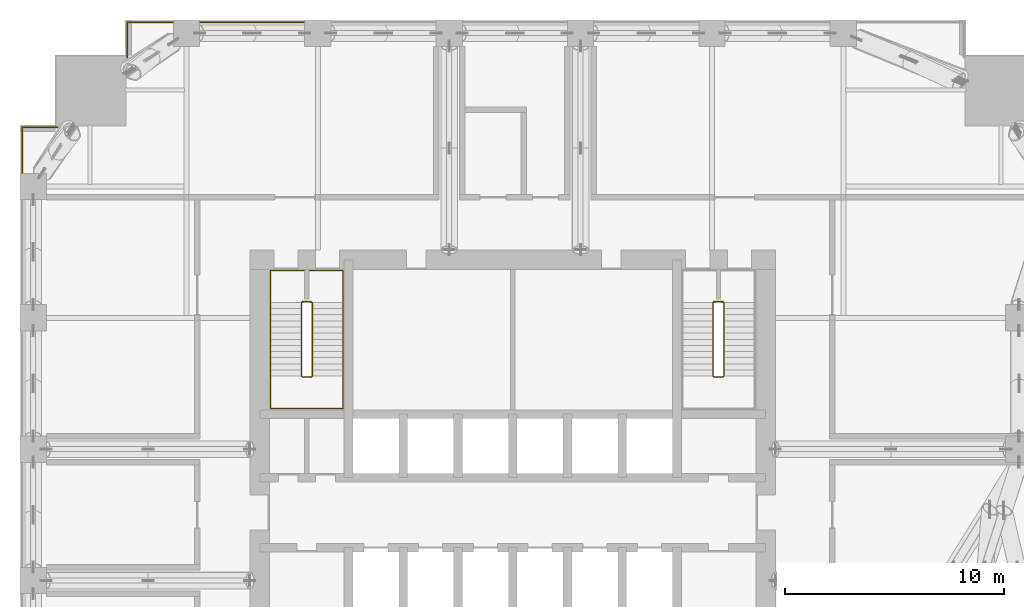
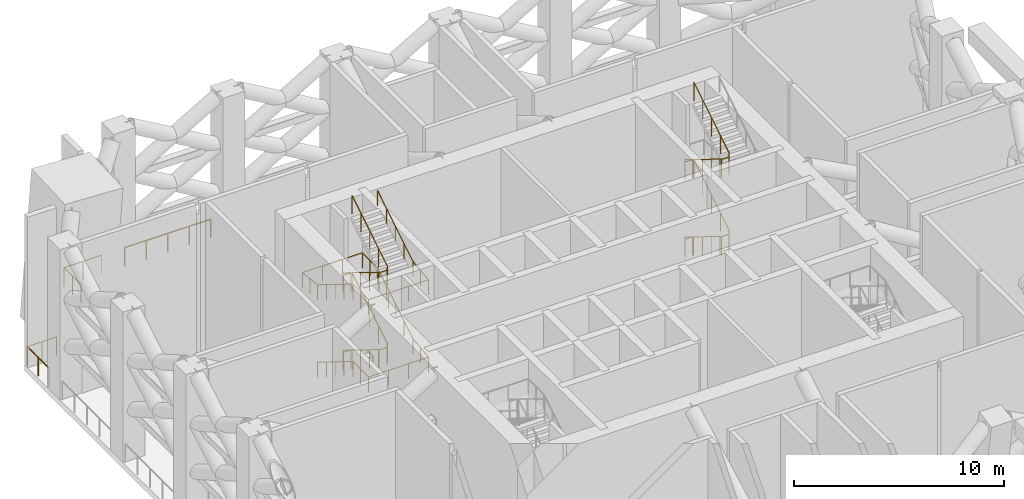
# One storey, part 17 of 18: 8 railings.
"""IFC4 building model written with IfcOpenShell, lengths in metres."""

from ifc_helpers import new_model, si_unit, direction, frame, origin, origin_2d, place, context, subcontext, project, spatial, circle, extrude, material, type_object, element, save


model = new_model("IFC4")

# Units and contexts
model_context = context("Model", 3, precision=1e-05, world=origin(), true_north=direction((0.0, 1.0)))
body_context = subcontext(model_context, "Body", "Model", "MODEL_VIEW")
ifc_project = project(units=[si_unit("LENGTHUNIT", "METRE"), si_unit("AREAUNIT", "SQUARE_METRE"), si_unit("VOLUMEUNIT", "CUBIC_METRE"), si_unit("PLANEANGLEUNIT", "RADIAN"), si_unit("MASSUNIT", "GRAM", prefix="KILO")], contexts=[model_context])

# Site, building, storey
site_placement = place(None, origin())
site = spatial("IfcSite", under=ifc_project, at=site_placement, CompositionType="ELEMENT")
building_placement = place(site_placement, origin())
building = spatial("IfcBuilding", under=site, at=building_placement, Name="Amberfall Residences", CompositionType="ELEMENT")
storey_placement = place(building_placement, frame((0.0, 0.0, 69.699951171875)))
storey = spatial("IfcBuildingStorey", under=building, at=storey_placement, Name="L19", CompositionType="ELEMENT", Elevation=69.699951171875)

# Railings
ifc_material_1 = material(Name="Bronze anodised aluminium and laminated glass", Category="aluminium")
railing_type_1 = type_object("IfcRailingType", Name="Refuge edge guard 1100", PredefinedType="GUARDRAIL", material=ifc_material_1)
railing_1_placement = place(storey_placement, frame((52.10009765625, 61.030029296875, 0.0)))
element("IfcRailing", 1, at=railing_1_placement, inside=storey, type_object=railing_type_1, Name="Refuge edge guard L19 16", PredefinedType="GUARDRAIL", context=body_context, shape_type="SweptSolid", body=[
    extrude(circle(Radius=0.02392578125, at=origin_2d()), frame((0.0, 0.0, 1.076171875), z_axis=(0.0, 1.0, 0.0), x_axis=(-1.0, 0.0, 0.0)), (0.0, 0.0, 1.0), 2.070068359375),
    extrude(circle(Radius=0.02099609375, at=origin_2d()), origin(), (0.0, 0.0, 1.0), 1.052001953125),
    extrude(circle(Radius=0.02099609375, at=origin_2d()), frame((0.0, 1.03515625, 0.0)), (0.0, 0.0, 1.0), 1.052001953125),
    extrude(circle(Radius=0.02099609375, at=origin_2d()), frame((0.0, 2.070068359375, 0.0)), (0.0, 0.0, 1.0), 1.052001953125),
])
railing_2_placement = place(storey_placement, frame((52.10009765625, 63.10009765625, 0.0)))
element("IfcRailing", 2, at=railing_2_placement, inside=storey, type_object=railing_type_1, Name="Refuge edge guard L19 17", PredefinedType="GUARDRAIL", context=body_context, shape_type="SweptSolid", body=[
    extrude(circle(Radius=0.02392578125, at=origin_2d()), frame((0.0, 0.0, 1.076171875), z_axis=(1.0, 0.0, 0.0), x_axis=(0.0, 1.0, 0.0)), (0.0, 0.0, 1.0), 1.608154296875),
    extrude(circle(Radius=0.02099609375, at=origin_2d()), origin(), (0.0, 0.0, 1.0), 1.052001953125),
    extrude(circle(Radius=0.02099609375, at=origin_2d()), frame((0.80419921875, 0.0, 0.0)), (0.0, 0.0, 1.0), 1.052001953125),
    extrude(circle(Radius=0.02099609375, at=origin_2d()), frame((1.608154296875, 0.0, 0.0)), (0.0, 0.0, 1.0), 1.052001953125),
])
railing_3_placement = place(storey_placement, frame((56.89990234375, 66.291748046875, 0.0)))
element("IfcRailing", 3, at=railing_3_placement, inside=storey, type_object=railing_type_1, Name="Refuge edge guard L19 18", PredefinedType="GUARDRAIL", context=body_context, shape_type="SweptSolid", body=[
    extrude(circle(Radius=0.02392578125, at=origin_2d()), frame((0.0, 0.0, 1.076171875), z_axis=(0.0, 1.0, 0.0), x_axis=(-1.0, 0.0, 0.0)), (0.0, 0.0, 1.0), 1.608154296875),
    extrude(circle(Radius=0.02099609375, at=origin_2d()), origin(), (0.0, 0.0, 1.0), 1.052001953125),
    extrude(circle(Radius=0.02099609375, at=origin_2d()), frame((0.0, 0.80419921875, 0.0)), (0.0, 0.0, 1.0), 1.052001953125),
    extrude(circle(Radius=0.02099609375, at=origin_2d()), frame((0.0, 1.608154296875, 0.0)), (0.0, 0.0, 1.0), 1.052001953125),
])
railing_4_placement = place(storey_placement, frame((56.89990234375, 67.89990234375, 0.0)))
element("IfcRailing", 4, at=railing_4_placement, inside=storey, type_object=railing_type_1, Name="Refuge edge guard L19 19", PredefinedType="GUARDRAIL", context=body_context, shape_type="SweptSolid", body=[
    extrude(circle(Radius=0.02392578125, at=origin_2d()), frame((0.0, 0.0, 1.076171875), z_axis=(1.0, 0.0, 0.0), x_axis=(0.0, 1.0, 0.0)), (0.0, 0.0, 1.0), 2.070068359375),
    extrude(circle(Radius=0.02099609375, at=origin_2d()), origin(), (0.0, 0.0, 1.0), 1.052001953125),
    extrude(circle(Radius=0.02099609375, at=origin_2d()), frame((1.03515625, 0.0, 0.0)), (0.0, 0.0, 1.0), 1.052001953125),
    extrude(circle(Radius=0.02099609375, at=origin_2d()), frame((2.070068359375, 0.0, 0.0)), (0.0, 0.0, 1.0), 1.052001953125),
])
railing_5_placement = place(storey_placement, frame((60.22998046875, 67.89990234375, 0.0)))
element("IfcRailing", 5, at=railing_5_placement, inside=storey, type_object=railing_type_1, Name="Refuge edge guard L19 20", PredefinedType="GUARDRAIL", context=body_context, shape_type="SweptSolid", body=[
    extrude(circle(Radius=0.02392578125, at=origin_2d()), frame((0.0, 0.0, 1.076171875), z_axis=(1.0, 0.0, 0.0), x_axis=(0.0, 1.0, 0.0)), (0.0, 0.0, 1.0), 4.739990234375),
    extrude(circle(Radius=0.02099609375, at=origin_2d()), origin(), (0.0, 0.0, 1.0), 1.052001953125),
    extrude(circle(Radius=0.02099609375, at=origin_2d()), frame((1.18505859375, 0.0, 0.0)), (0.0, 0.0, 1.0), 1.052001953125),
    extrude(circle(Radius=0.02099609375, at=origin_2d()), frame((2.3701171875, 0.0, 0.0)), (0.0, 0.0, 1.0), 1.052001953125),
    extrude(circle(Radius=0.02099609375, at=origin_2d()), frame((3.554931640625, 0.0, 0.0)), (0.0, 0.0, 1.0), 1.052001953125),
    extrude(circle(Radius=0.02099609375, at=origin_2d()), frame((4.739990234375, 0.0, 0.0)), (0.0, 0.0, 1.0), 1.052001953125),
])
ifc_material_2 = material(Name="Stainless steel 316", Category="steel")
railing_type_2 = type_object("IfcRailingType", Name="Stair guard 1100", PredefinedType="GUARDRAIL", material=ifc_material_2)
railing_6_placement = place(storey_placement, frame((84.10009765625, 55.14990234375, 0.0)))
element("IfcRailing", 6, at=railing_6_placement, inside=storey, type_object=railing_type_2, Name="L19 stair 3 guard", PredefinedType="GUARDRAIL", context=body_context, shape_type="SweptSolid", body=[
    extrude(circle(Radius=0.02392578125, at=origin_2d()), frame((0.0, 0.0, 1.076171875), z_axis=(-1.0, 0.0, 0.0), x_axis=(0.0, -1.0, 0.0)), (0.0, 0.0, 1.0), 0.400146484375),
    extrude(circle(Radius=0.02392578125, at=origin_2d()), frame((-0.400146484375, 0.0, 1.076171875), z_axis=(-0.267723051232, -0.266417085129, 0.925929967433), x_axis=(0.705375805398, -0.708833529934, 0.0)), (0.0, 0.0, 1.0), 0.18701171875),
    extrude(circle(Radius=0.02392578125, at=origin_2d()), frame((-0.4501953125, -0.0498046875, 1.2490234375), z_axis=(0.0, -0.850623216509, 0.525775754039), x_axis=(1.0, 0.0, 0.0)), (0.0, 0.0, 1.0), 3.9501953125),
    extrude(circle(Radius=0.02392578125, at=origin_2d()), frame((-0.4501953125, -3.409912109375, 3.326171875), z_axis=(0.707106781187, -0.707106781187, 0.0), x_axis=(0.707106781187, 0.707106781187, 0.0)), (0.0, 0.0, 1.0), 0.07080078125),
    extrude(circle(Radius=0.02392578125, at=origin_2d()), frame((-0.400146484375, -3.4599609375, 3.326171875), z_axis=(1.0, 0.0, 0.0), x_axis=(0.0, 1.0, 0.0)), (0.0, 0.0, 1.0), 0.400146484375),
    extrude(circle(Radius=0.02392578125, at=origin_2d()), frame((0.0, -3.4599609375, 3.326171875), z_axis=(0.266417085129, 0.267723051232, 0.925929967433), x_axis=(-0.708833529934, 0.705375805398, 0.0)), (0.0, 0.0, 1.0), 0.18701171875),
    extrude(circle(Radius=0.02392578125, at=origin_2d()), frame((0.0498046875, -3.409912109375, 3.4990234375), z_axis=(0.0, 0.850623216509, 0.525775754039), x_axis=(-1.0, 0.0, 0.0)), (0.0, 0.0, 1.0), 3.9501953125),
    extrude(circle(Radius=0.02392578125, at=origin_2d()), frame((0.0498046875, -0.0498046875, 5.576171875), z_axis=(-0.993929686101, 0.110017176324, 0.0), x_axis=(-0.110017176324, -0.993929686101, 0.0)), (0.0, 0.0, 1.0), 0.45263671875),
    extrude(circle(Radius=0.02392578125, at=origin_2d()), frame((-0.400146484375, 0.0, 5.576171875), z_axis=(1.0, 0.0, 0.0), x_axis=(0.0, 1.0, 0.0)), (0.0, 0.0, 1.0), 0.400146484375),
    extrude(circle(Radius=0.02392578125, at=origin_2d()), frame((0.0, 0.0, 5.576171875), z_axis=(-0.928448063868, -0.102713343291, 0.356979217615), x_axis=(0.109958235639, -0.993936208423, 0.0)), (0.0, 0.0, 1.0), 0.48486328125),
    extrude(circle(Radius=0.02392578125, at=origin_2d()), frame((-0.4501953125, -0.0498046875, 5.7490234375), z_axis=(0.0, -0.850623216509, 0.525775754039), x_axis=(1.0, 0.0, 0.0)), (0.0, 0.0, 1.0), 3.9501953125),
    extrude(circle(Radius=0.02392578125, at=origin_2d()), frame((-0.4501953125, -3.409912109375, 7.826171875), z_axis=(0.707106781187, -0.707106781187, 0.0), x_axis=(0.707106781187, 0.707106781187, 0.0)), (0.0, 0.0, 1.0), 0.07080078125),
    extrude(circle(Radius=0.02392578125, at=origin_2d()), frame((-0.400146484375, -3.4599609375, 7.826171875), z_axis=(1.0, 0.0, 0.0), x_axis=(0.0, 1.0, 0.0)), (0.0, 0.0, 1.0), 0.400146484375),
    extrude(circle(Radius=0.02392578125, at=origin_2d()), frame((0.0, -3.4599609375, 7.826171875), z_axis=(0.266417085129, 0.267723051232, 0.925929967433), x_axis=(-0.708833529934, 0.705375805398, 0.0)), (0.0, 0.0, 1.0), 0.18701171875),
    extrude(circle(Radius=0.02392578125, at=origin_2d()), frame((0.0498046875, -3.409912109375, 7.9990234375), z_axis=(0.0, 0.850623216509, 0.525775754039), x_axis=(-1.0, 0.0, 0.0)), (0.0, 0.0, 1.0), 3.9501953125),
    extrude(circle(Radius=0.02099609375, at=origin_2d()), origin(), (0.0, 0.0, 1.0), 1.052001953125),
    extrude(circle(Radius=0.02099609375, at=origin_2d()), frame((-0.400146484375, 0.0, 0.0)), (0.0, 0.0, 1.0), 1.052001953125),
    extrude(circle(Radius=0.02099609375, at=origin_2d()), frame((-0.4501953125, -0.0498046875, 0.173095703125)), (0.0, 0.0, 1.0), 1.052001953125),
    extrude(circle(Radius=0.02099609375, at=origin_2d()), frame((-0.4501953125, -0.889892578125, 0.6923828125)), (0.0, 0.0, 1.0), 1.052001953125),
    extrude(circle(Radius=0.02099609375, at=origin_2d()), frame((-0.4501953125, -1.72998046875, 1.21142578125)), (0.0, 0.0, 1.0), 1.052001953125),
    extrude(circle(Radius=0.02099609375, at=origin_2d()), frame((-0.4501953125, -2.56982421875, 1.730712890625)), (0.0, 0.0, 1.0), 1.052001953125),
    extrude(circle(Radius=0.02099609375, at=origin_2d()), frame((-0.4501953125, -3.409912109375, 2.25)), (0.0, 0.0, 1.0), 1.052001953125),
    extrude(circle(Radius=0.02099609375, at=origin_2d()), frame((-0.400146484375, -3.4599609375, 2.25)), (0.0, 0.0, 1.0), 1.052001953125),
    extrude(circle(Radius=0.02099609375, at=origin_2d()), frame((0.0, -3.4599609375, 2.25)), (0.0, 0.0, 1.0), 1.052001953125),
    extrude(circle(Radius=0.02099609375, at=origin_2d()), frame((0.0498046875, -3.409912109375, 2.423095703125)), (0.0, 0.0, 1.0), 1.052001953125),
    extrude(circle(Radius=0.02099609375, at=origin_2d()), frame((0.0498046875, -2.56982421875, 2.9423828125)), (0.0, 0.0, 1.0), 1.052001953125),
    extrude(circle(Radius=0.02099609375, at=origin_2d()), frame((0.0498046875, -1.72998046875, 3.46142578125)), (0.0, 0.0, 1.0), 1.052001953125),
    extrude(circle(Radius=0.02099609375, at=origin_2d()), frame((0.0498046875, -0.889892578125, 3.980712890625)), (0.0, 0.0, 1.0), 1.052001953125),
    extrude(circle(Radius=0.02099609375, at=origin_2d()), frame((0.0498046875, -0.0498046875, 4.5)), (0.0, 0.0, 1.0), 1.052001953125),
    extrude(circle(Radius=0.02099609375, at=origin_2d()), frame((-0.400146484375, 0.0, 4.5)), (0.0, 0.0, 1.0), 1.052001953125),
    extrude(circle(Radius=0.02099609375, at=origin_2d()), frame((0.0, 0.0, 4.5)), (0.0, 0.0, 1.0), 1.052001953125),
    extrude(circle(Radius=0.02099609375, at=origin_2d()), frame((-0.4501953125, -0.0498046875, 4.673095703125)), (0.0, 0.0, 1.0), 1.052001953125),
    extrude(circle(Radius=0.02099609375, at=origin_2d()), frame((-0.4501953125, -0.889892578125, 5.1923828125)), (0.0, 0.0, 1.0), 1.052001953125),
    extrude(circle(Radius=0.02099609375, at=origin_2d()), frame((-0.4501953125, -1.72998046875, 5.71142578125)), (0.0, 0.0, 1.0), 1.052001953125),
    extrude(circle(Radius=0.02099609375, at=origin_2d()), frame((-0.4501953125, -2.56982421875, 6.230712890625)), (0.0, 0.0, 1.0), 1.052001953125),
    extrude(circle(Radius=0.02099609375, at=origin_2d()), frame((-0.4501953125, -3.409912109375, 6.75)), (0.0, 0.0, 1.0), 1.052001953125),
    extrude(circle(Radius=0.02099609375, at=origin_2d()), frame((-0.400146484375, -3.4599609375, 6.75)), (0.0, 0.0, 1.0), 1.052001953125),
    extrude(circle(Radius=0.02099609375, at=origin_2d()), frame((0.0, -3.4599609375, 6.75)), (0.0, 0.0, 1.0), 1.052001953125),
    extrude(circle(Radius=0.02099609375, at=origin_2d()), frame((0.0498046875, -3.409912109375, 6.923095703125)), (0.0, 0.0, 1.0), 1.052001953125),
    extrude(circle(Radius=0.02099609375, at=origin_2d()), frame((0.0498046875, -2.56982421875, 7.4423828125)), (0.0, 0.0, 1.0), 1.052001953125),
    extrude(circle(Radius=0.02099609375, at=origin_2d()), frame((0.0498046875, -1.72998046875, 7.96142578125)), (0.0, 0.0, 1.0), 1.052001953125),
    extrude(circle(Radius=0.02099609375, at=origin_2d()), frame((0.0498046875, -0.889892578125, 8.480712890625)), (0.0, 0.0, 1.0), 1.052001953125),
    extrude(circle(Radius=0.02099609375, at=origin_2d()), frame((0.0498046875, -0.0498046875, 9.0)), (0.0, 0.0, 1.0), 1.052001953125),
])
railing_7_placement = place(storey_placement, frame((65.300048828125, 55.14990234375, 0.0)))
element("IfcRailing", 7, at=railing_7_placement, inside=storey, type_object=railing_type_2, Name="L19 stair 4 guard", PredefinedType="GUARDRAIL", context=body_context, shape_type="SweptSolid", body=[
    extrude(circle(Radius=0.02392578125, at=origin_2d()), frame((0.0, 0.0, 1.076171875), z_axis=(-1.0, 0.0, 0.0), x_axis=(0.0, -1.0, 0.0)), (0.0, 0.0, 1.0), 0.400146484375),
    extrude(circle(Radius=0.02392578125, at=origin_2d()), frame((-0.400146484375, 0.0, 1.076171875), z_axis=(-0.26651005591, -0.26651005591, 0.926253086471), x_axis=(0.707106781187, -0.707106781187, 0.0)), (0.0, 0.0, 1.0), 0.186767578125),
    extrude(circle(Radius=0.02392578125, at=origin_2d()), frame((-0.449951171875, -0.0498046875, 1.2490234375), z_axis=(0.0, -0.850623216509, 0.525775754039), x_axis=(1.0, 0.0, 0.0)), (0.0, 0.0, 1.0), 3.9501953125),
    extrude(circle(Radius=0.02392578125, at=origin_2d()), frame((-0.449951171875, -3.409912109375, 3.326171875), z_axis=(0.705375805398, -0.708833529934, 0.0), x_axis=(0.708833529934, 0.705375805398, 0.0)), (0.0, 0.0, 1.0), 0.070556640625),
    extrude(circle(Radius=0.02392578125, at=origin_2d()), frame((-0.400146484375, -3.4599609375, 3.326171875), z_axis=(1.0, 0.0, 0.0), x_axis=(0.0, 1.0, 0.0)), (0.0, 0.0, 1.0), 0.400146484375),
    extrude(circle(Radius=0.02392578125, at=origin_2d()), frame((0.0, -3.4599609375, 3.326171875), z_axis=(0.267629722418, 0.267629722418, 0.925607186314), x_axis=(-0.707106781187, 0.707106781187, 0.0)), (0.0, 0.0, 1.0), 0.18701171875),
    extrude(circle(Radius=0.02392578125, at=origin_2d()), frame((0.050048828125, -3.409912109375, 3.4990234375), z_axis=(0.0, 0.850623216509, 0.525775754039), x_axis=(-1.0, 0.0, 0.0)), (0.0, 0.0, 1.0), 3.9501953125),
    extrude(circle(Radius=0.02392578125, at=origin_2d()), frame((0.050048828125, -0.0498046875, 5.576171875), z_axis=(-0.993936208423, 0.109958235639, 0.0), x_axis=(-0.109958235639, -0.993936208423, 0.0)), (0.0, 0.0, 1.0), 0.452880859375),
    extrude(circle(Radius=0.02392578125, at=origin_2d()), frame((-0.400146484375, 0.0, 5.576171875), z_axis=(1.0, 0.0, 0.0), x_axis=(0.0, 1.0, 0.0)), (0.0, 0.0, 1.0), 0.400146484375),
    extrude(circle(Radius=0.02392578125, at=origin_2d()), frame((0.0, 0.0, 5.576171875), z_axis=(-0.928378540526, -0.102761379418, 0.357146166703), x_axis=(0.110017176324, -0.993929686101, 0.0)), (0.0, 0.0, 1.0), 0.484619140625),
    extrude(circle(Radius=0.02392578125, at=origin_2d()), frame((-0.449951171875, -0.0498046875, 5.7490234375), z_axis=(0.0, -0.850623216509, 0.525775754039), x_axis=(1.0, 0.0, 0.0)), (0.0, 0.0, 1.0), 3.9501953125),
    extrude(circle(Radius=0.02392578125, at=origin_2d()), frame((-0.449951171875, -3.409912109375, 7.826171875), z_axis=(0.705375805398, -0.708833529934, 0.0), x_axis=(0.708833529934, 0.705375805398, 0.0)), (0.0, 0.0, 1.0), 0.070556640625),
    extrude(circle(Radius=0.02392578125, at=origin_2d()), frame((-0.400146484375, -3.4599609375, 7.826171875), z_axis=(1.0, 0.0, 0.0), x_axis=(0.0, 1.0, 0.0)), (0.0, 0.0, 1.0), 0.400146484375),
    extrude(circle(Radius=0.02392578125, at=origin_2d()), frame((0.0, -3.4599609375, 7.826171875), z_axis=(0.267629722418, 0.267629722418, 0.925607186314), x_axis=(-0.707106781187, 0.707106781187, 0.0)), (0.0, 0.0, 1.0), 0.18701171875),
    extrude(circle(Radius=0.02392578125, at=origin_2d()), frame((0.050048828125, -3.409912109375, 7.9990234375), z_axis=(0.0, 0.850623216509, 0.525775754039), x_axis=(-1.0, 0.0, 0.0)), (0.0, 0.0, 1.0), 3.9501953125),
    extrude(circle(Radius=0.02099609375, at=origin_2d()), origin(), (0.0, 0.0, 1.0), 1.052001953125),
    extrude(circle(Radius=0.02099609375, at=origin_2d()), frame((-0.400146484375, 0.0, 0.0)), (0.0, 0.0, 1.0), 1.052001953125),
    extrude(circle(Radius=0.02099609375, at=origin_2d()), frame((-0.449951171875, -0.0498046875, 0.173095703125)), (0.0, 0.0, 1.0), 1.052001953125),
    extrude(circle(Radius=0.02099609375, at=origin_2d()), frame((-0.449951171875, -0.889892578125, 0.6923828125)), (0.0, 0.0, 1.0), 1.052001953125),
    extrude(circle(Radius=0.02099609375, at=origin_2d()), frame((-0.449951171875, -1.72998046875, 1.21142578125)), (0.0, 0.0, 1.0), 1.052001953125),
    extrude(circle(Radius=0.02099609375, at=origin_2d()), frame((-0.449951171875, -2.56982421875, 1.730712890625)), (0.0, 0.0, 1.0), 1.052001953125),
    extrude(circle(Radius=0.02099609375, at=origin_2d()), frame((-0.449951171875, -3.409912109375, 2.25)), (0.0, 0.0, 1.0), 1.052001953125),
    extrude(circle(Radius=0.02099609375, at=origin_2d()), frame((-0.400146484375, -3.4599609375, 2.25)), (0.0, 0.0, 1.0), 1.052001953125),
    extrude(circle(Radius=0.02099609375, at=origin_2d()), frame((0.0, -3.4599609375, 2.25)), (0.0, 0.0, 1.0), 1.052001953125),
    extrude(circle(Radius=0.02099609375, at=origin_2d()), frame((0.050048828125, -3.409912109375, 2.423095703125)), (0.0, 0.0, 1.0), 1.052001953125),
    extrude(circle(Radius=0.02099609375, at=origin_2d()), frame((0.050048828125, -2.56982421875, 2.9423828125)), (0.0, 0.0, 1.0), 1.052001953125),
    extrude(circle(Radius=0.02099609375, at=origin_2d()), frame((0.050048828125, -1.72998046875, 3.46142578125)), (0.0, 0.0, 1.0), 1.052001953125),
    extrude(circle(Radius=0.02099609375, at=origin_2d()), frame((0.050048828125, -0.889892578125, 3.980712890625)), (0.0, 0.0, 1.0), 1.052001953125),
    extrude(circle(Radius=0.02099609375, at=origin_2d()), frame((0.050048828125, -0.0498046875, 4.5)), (0.0, 0.0, 1.0), 1.052001953125),
    extrude(circle(Radius=0.02099609375, at=origin_2d()), frame((-0.400146484375, 0.0, 4.5)), (0.0, 0.0, 1.0), 1.052001953125),
    extrude(circle(Radius=0.02099609375, at=origin_2d()), frame((0.0, 0.0, 4.5)), (0.0, 0.0, 1.0), 1.052001953125),
    extrude(circle(Radius=0.02099609375, at=origin_2d()), frame((-0.449951171875, -0.0498046875, 4.673095703125)), (0.0, 0.0, 1.0), 1.052001953125),
    extrude(circle(Radius=0.02099609375, at=origin_2d()), frame((-0.449951171875, -0.889892578125, 5.1923828125)), (0.0, 0.0, 1.0), 1.052001953125),
    extrude(circle(Radius=0.02099609375, at=origin_2d()), frame((-0.449951171875, -1.72998046875, 5.71142578125)), (0.0, 0.0, 1.0), 1.052001953125),
    extrude(circle(Radius=0.02099609375, at=origin_2d()), frame((-0.449951171875, -2.56982421875, 6.230712890625)), (0.0, 0.0, 1.0), 1.052001953125),
    extrude(circle(Radius=0.02099609375, at=origin_2d()), frame((-0.449951171875, -3.409912109375, 6.75)), (0.0, 0.0, 1.0), 1.052001953125),
    extrude(circle(Radius=0.02099609375, at=origin_2d()), frame((-0.400146484375, -3.4599609375, 6.75)), (0.0, 0.0, 1.0), 1.052001953125),
    extrude(circle(Radius=0.02099609375, at=origin_2d()), frame((0.0, -3.4599609375, 6.75)), (0.0, 0.0, 1.0), 1.052001953125),
    extrude(circle(Radius=0.02099609375, at=origin_2d()), frame((0.050048828125, -3.409912109375, 6.923095703125)), (0.0, 0.0, 1.0), 1.052001953125),
    extrude(circle(Radius=0.02099609375, at=origin_2d()), frame((0.050048828125, -2.56982421875, 7.4423828125)), (0.0, 0.0, 1.0), 1.052001953125),
    extrude(circle(Radius=0.02099609375, at=origin_2d()), frame((0.050048828125, -1.72998046875, 7.96142578125)), (0.0, 0.0, 1.0), 1.052001953125),
    extrude(circle(Radius=0.02099609375, at=origin_2d()), frame((0.050048828125, -0.889892578125, 8.480712890625)), (0.0, 0.0, 1.0), 1.052001953125),
    extrude(circle(Radius=0.02099609375, at=origin_2d()), frame((0.050048828125, -0.0498046875, 9.0)), (0.0, 0.0, 1.0), 1.052001953125),
])
railing_type_3 = type_object("IfcRailingType", Name="Stair handrail 900", PredefinedType="HANDRAIL", material=ifc_material_2)
railing_8_placement = place(storey_placement, frame((63.449951171875, 55.10009765625, 0.173095703125)))
element("IfcRailing", 8, at=railing_8_placement, inside=storey, type_object=railing_type_3, Name="L19 stair 4 handrail", PredefinedType="HANDRAIL", context=body_context, shape_type="SweptSolid", body=[
    extrude(circle(Radius=0.02392578125, at=origin_2d()), frame((0.0, 0.0, 0.8759765625), z_axis=(0.0, -0.850623216509, 0.525775754039), x_axis=(1.0, 0.0, 0.0)), (0.0, 0.0, 1.0), 3.9501953125),
    extrude(circle(Radius=0.02392578125, at=origin_2d()), frame((0.0, -3.360107421875, 2.95263671875), z_axis=(0.0, -1.0, 0.0), x_axis=(1.0, 0.0, 0.0)), (0.0, 0.0, 1.0), 1.489990234375),
    extrude(circle(Radius=0.02392578125, at=origin_2d()), frame((0.0, -4.85009765625, 2.95263671875), z_axis=(1.0, 0.0, 0.0), x_axis=(0.0, 1.0, 0.0)), (0.0, 0.0, 1.0), 3.300048828125),
    extrude(circle(Radius=0.02392578125, at=origin_2d()), frame((3.300048828125, -4.85009765625, 2.95263671875), z_axis=(0.0, 0.993319533971, 0.115396288642), x_axis=(-1.0, 0.0, 0.0)), (0.0, 0.0, 1.0), 1.5),
    extrude(circle(Radius=0.02392578125, at=origin_2d()), frame((3.300048828125, -3.360107421875, 3.1259765625), z_axis=(0.0, 0.850623216509, 0.525775754039), x_axis=(-1.0, 0.0, 0.0)), (0.0, 0.0, 1.0), 3.9501953125),
    extrude(circle(Radius=0.02392578125, at=origin_2d()), frame((3.300048828125, 0.0, 5.20263671875), z_axis=(0.0, 1.0, 0.0), x_axis=(-1.0, 0.0, 0.0)), (0.0, 0.0, 1.0), 1.449951171875),
    extrude(circle(Radius=0.02392578125, at=origin_2d()), frame((3.300048828125, 1.449951171875, 5.20263671875), z_axis=(-1.0, 0.0, 0.0), x_axis=(0.0, -1.0, 0.0)), (0.0, 0.0, 1.0), 3.300048828125),
    extrude(circle(Radius=0.02392578125, at=origin_2d()), frame((0.0, 1.449951171875, 5.20263671875), z_axis=(0.0, -0.992949436845, 0.118538668248), x_axis=(1.0, 0.0, 0.0)), (0.0, 0.0, 1.0), 1.460205078125),
    extrude(circle(Radius=0.02392578125, at=origin_2d()), frame((0.0, 0.0, 5.3759765625), z_axis=(0.0, -0.850623216509, 0.525775754039), x_axis=(1.0, 0.0, 0.0)), (0.0, 0.0, 1.0), 3.9501953125),
    extrude(circle(Radius=0.02392578125, at=origin_2d()), frame((0.0, -3.360107421875, 7.45263671875), z_axis=(0.0, -1.0, 0.0), x_axis=(1.0, 0.0, 0.0)), (0.0, 0.0, 1.0), 1.489990234375),
    extrude(circle(Radius=0.02392578125, at=origin_2d()), frame((0.0, -4.85009765625, 7.45263671875), z_axis=(1.0, 0.0, 0.0), x_axis=(0.0, 1.0, 0.0)), (0.0, 0.0, 1.0), 3.300048828125),
    extrude(circle(Radius=0.02392578125, at=origin_2d()), frame((3.300048828125, -4.85009765625, 7.45263671875), z_axis=(0.0, 0.993319533971, 0.115396288642), x_axis=(-1.0, 0.0, 0.0)), (0.0, 0.0, 1.0), 1.5),
    extrude(circle(Radius=0.02392578125, at=origin_2d()), frame((3.300048828125, -3.360107421875, 7.6259765625), z_axis=(0.0, 0.850623216509, 0.525775754039), x_axis=(-1.0, 0.0, 0.0)), (0.0, 0.0, 1.0), 3.9501953125),
    extrude(circle(Radius=0.02099609375, at=origin_2d()), origin(), (0.0, 0.0, 1.0), 0.851806640625),
    extrude(circle(Radius=0.02099609375, at=origin_2d()), frame((0.0, -0.840087890625, 0.519287109375)), (0.0, 0.0, 1.0), 0.851806640625),
    extrude(circle(Radius=0.02099609375, at=origin_2d()), frame((0.0, -1.68017578125, 1.03857421875)), (0.0, 0.0, 1.0), 0.851806640625),
    extrude(circle(Radius=0.02099609375, at=origin_2d()), frame((0.0, -2.52001953125, 1.5576171875)), (0.0, 0.0, 1.0), 0.851806640625),
    extrude(circle(Radius=0.02099609375, at=origin_2d()), frame((0.0, -3.360107421875, 2.076904296875)), (0.0, 0.0, 1.0), 0.851806640625),
    extrude(circle(Radius=0.02099609375, at=origin_2d()), frame((0.0, -4.10498046875, 2.076904296875)), (0.0, 0.0, 1.0), 0.851806640625),
    extrude(circle(Radius=0.02099609375, at=origin_2d()), frame((0.0, -4.85009765625, 2.076904296875)), (0.0, 0.0, 1.0), 0.851806640625),
    extrude(circle(Radius=0.02099609375, at=origin_2d()), frame((1.10009765625, -4.85009765625, 2.076904296875)), (0.0, 0.0, 1.0), 0.851806640625),
    extrude(circle(Radius=0.02099609375, at=origin_2d()), frame((2.199951171875, -4.85009765625, 2.076904296875)), (0.0, 0.0, 1.0), 0.851806640625),
    extrude(circle(Radius=0.02099609375, at=origin_2d()), frame((3.300048828125, -4.85009765625, 2.076904296875)), (0.0, 0.0, 1.0), 0.851806640625),
    extrude(circle(Radius=0.02099609375, at=origin_2d()), frame((3.300048828125, -4.10498046875, 2.16357421875)), (0.0, 0.0, 1.0), 0.851806640625),
    extrude(circle(Radius=0.02099609375, at=origin_2d()), frame((3.300048828125, -3.360107421875, 2.25)), (0.0, 0.0, 1.0), 0.851806640625),
    extrude(circle(Radius=0.02099609375, at=origin_2d()), frame((3.300048828125, -2.52001953125, 2.769287109375)), (0.0, 0.0, 1.0), 0.851806640625),
    extrude(circle(Radius=0.02099609375, at=origin_2d()), frame((3.300048828125, -1.68017578125, 3.28857421875)), (0.0, 0.0, 1.0), 0.851806640625),
    extrude(circle(Radius=0.02099609375, at=origin_2d()), frame((3.300048828125, -0.840087890625, 3.8076171875)), (0.0, 0.0, 1.0), 0.851806640625),
    extrude(circle(Radius=0.02099609375, at=origin_2d()), frame((3.300048828125, 0.0, 4.326904296875)), (0.0, 0.0, 1.0), 0.851806640625),
    extrude(circle(Radius=0.02099609375, at=origin_2d()), frame((3.300048828125, 0.72509765625, 4.326904296875)), (0.0, 0.0, 1.0), 0.851806640625),
    extrude(circle(Radius=0.02099609375, at=origin_2d()), frame((3.300048828125, 1.449951171875, 4.326904296875)), (0.0, 0.0, 1.0), 0.851806640625),
    extrude(circle(Radius=0.02099609375, at=origin_2d()), frame((2.199951171875, 1.449951171875, 4.326904296875)), (0.0, 0.0, 1.0), 0.851806640625),
    extrude(circle(Radius=0.02099609375, at=origin_2d()), frame((1.10009765625, 1.449951171875, 4.326904296875)), (0.0, 0.0, 1.0), 0.851806640625),
    extrude(circle(Radius=0.02099609375, at=origin_2d()), frame((0.0, 1.449951171875, 4.326904296875)), (0.0, 0.0, 1.0), 0.851806640625),
    extrude(circle(Radius=0.02099609375, at=origin_2d()), frame((0.0, 0.72509765625, 4.41357421875)), (0.0, 0.0, 1.0), 0.851806640625),
    extrude(circle(Radius=0.02099609375, at=origin_2d()), frame((0.0, 0.0, 4.5)), (0.0, 0.0, 1.0), 0.851806640625),
    extrude(circle(Radius=0.02099609375, at=origin_2d()), frame((0.0, -0.840087890625, 5.019287109375)), (0.0, 0.0, 1.0), 0.851806640625),
    extrude(circle(Radius=0.02099609375, at=origin_2d()), frame((0.0, -1.68017578125, 5.53857421875)), (0.0, 0.0, 1.0), 0.851806640625),
    extrude(circle(Radius=0.02099609375, at=origin_2d()), frame((0.0, -2.52001953125, 6.0576171875)), (0.0, 0.0, 1.0), 0.851806640625),
    extrude(circle(Radius=0.02099609375, at=origin_2d()), frame((0.0, -3.360107421875, 6.576904296875)), (0.0, 0.0, 1.0), 0.851806640625),
    extrude(circle(Radius=0.02099609375, at=origin_2d()), frame((0.0, -4.10498046875, 6.576904296875)), (0.0, 0.0, 1.0), 0.851806640625),
    extrude(circle(Radius=0.02099609375, at=origin_2d()), frame((0.0, -4.85009765625, 6.576904296875)), (0.0, 0.0, 1.0), 0.851806640625),
    extrude(circle(Radius=0.02099609375, at=origin_2d()), frame((1.10009765625, -4.85009765625, 6.576904296875)), (0.0, 0.0, 1.0), 0.851806640625),
    extrude(circle(Radius=0.02099609375, at=origin_2d()), frame((2.199951171875, -4.85009765625, 6.576904296875)), (0.0, 0.0, 1.0), 0.851806640625),
    extrude(circle(Radius=0.02099609375, at=origin_2d()), frame((3.300048828125, -4.85009765625, 6.576904296875)), (0.0, 0.0, 1.0), 0.851806640625),
    extrude(circle(Radius=0.02099609375, at=origin_2d()), frame((3.300048828125, -4.10498046875, 6.66357421875)), (0.0, 0.0, 1.0), 0.851806640625),
    extrude(circle(Radius=0.02099609375, at=origin_2d()), frame((3.300048828125, -3.360107421875, 6.75)), (0.0, 0.0, 1.0), 0.851806640625),
    extrude(circle(Radius=0.02099609375, at=origin_2d()), frame((3.300048828125, -2.52001953125, 7.269287109375)), (0.0, 0.0, 1.0), 0.851806640625),
    extrude(circle(Radius=0.02099609375, at=origin_2d()), frame((3.300048828125, -1.68017578125, 7.78857421875)), (0.0, 0.0, 1.0), 0.851806640625),
    extrude(circle(Radius=0.02099609375, at=origin_2d()), frame((3.300048828125, -0.840087890625, 8.3076171875)), (0.0, 0.0, 1.0), 0.851806640625),
    extrude(circle(Radius=0.02099609375, at=origin_2d()), frame((3.300048828125, 0.0, 8.826904296875)), (0.0, 0.0, 1.0), 0.851806640625),
])

save(model, "model.ifc")
